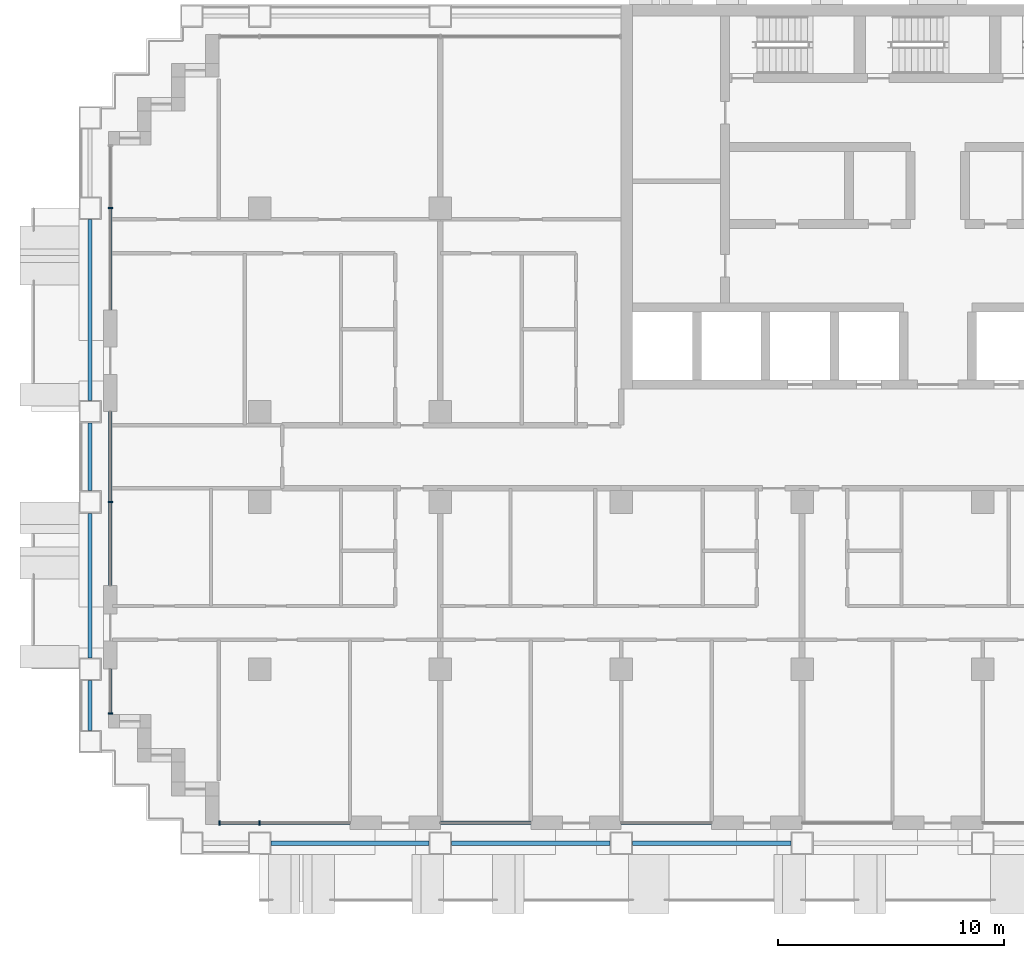
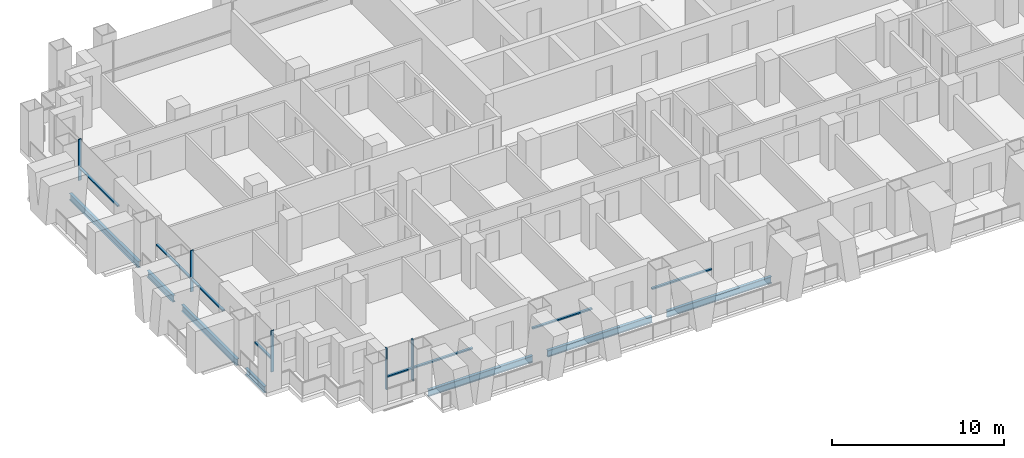
# One storey, part 2 of 19: 13 members, 7 beams, 6 elements without a shape of their own.
"""IFC4 building model written with IfcOpenShell, lengths in metres."""

from ifc_helpers import new_model, si_unit, direction, frame, origin, origin_2d, place, context, subcontext, project, spatial, rectangle, i_section, extrude, material, material_profile, profile_set, type_object, element, aggregate, save


model = new_model("IFC4")

# Units and contexts
model_context = context("Model", 3, precision=1e-05, world=origin(), true_north=direction((0.0, 1.0)))
body_context = subcontext(model_context, "Body", "Model", "MODEL_VIEW")
ifc_project = project(units=[si_unit("LENGTHUNIT", "METRE"), si_unit("AREAUNIT", "SQUARE_METRE"), si_unit("VOLUMEUNIT", "CUBIC_METRE"), si_unit("PLANEANGLEUNIT", "RADIAN"), si_unit("MASSUNIT", "GRAM", prefix="KILO")], contexts=[model_context])

# Site, building, storey
site_placement = place(None, origin())
site = spatial("IfcSite", under=ifc_project, at=site_placement, CompositionType="ELEMENT")
building_placement = place(site_placement, origin())
building = spatial("IfcBuilding", under=site, at=building_placement, Name="Vidyagriha Tower", CompositionType="ELEMENT")
storey_placement = place(building_placement, frame((0.0, 0.0, 57.60009765625)))
storey = spatial("IfcBuildingStorey", under=building, at=storey_placement, Name="L15", CompositionType="ELEMENT", Elevation=57.60009765625)

# Beams
ifc_material_1 = material(Name="Steel ASTM A992 Grade 50", Category="steel")
ifc_material_profile_1 = material_profile(ifc_material_1, i_section(OverallWidth=0.19189453125, OverallDepth=0.46240234375, WebThickness=0.010498046875, FlangeThickness=0.017578125, at=origin_2d()), Name="W18X60")
ifc_profile_set_1 = profile_set([ifc_material_profile_1], Name="Steel ASTM A992 Grade 50")
beam_type = type_object("IfcBeamType", Name="Edge beam W18X60", PredefinedType="SPANDREL", material=ifc_profile_set_1)
for number, where, z_axis, x_axis, name in (
    (1, (-29.5, -17.10009765625, -0.51123046875), (1.0, 0.0, 0.0), (0.0, 1.0, 0.0), "st-beam-L15-S02"),
    (2, (-21.5, -17.10009765625, -0.51123046875), (1.0, 0.0, 0.0), (0.0, 1.0, 0.0), "st-beam-L15-S03"),
    (3, (-13.5, -17.10009765625, -0.51123046875), (1.0, 0.0, 0.0), (0.0, 1.0, 0.0), "st-beam-L15-S04"),
):
    element("IfcBeam", number, at=place(storey_placement, frame(where, z_axis=z_axis, x_axis=x_axis)), inside=storey, type_object=beam_type, Name=name, PredefinedType="SPANDREL", context=body_context, shape_type="SweptSolid", body=[
        extrude(i_section(OverallWidth=0.19189453125, OverallDepth=0.46240234375, WebThickness=0.010498046875, FlangeThickness=0.017578125, at=origin_2d()), origin(), (0.0, 0.0, 1.0), 7.0),
    ])
beam_1_placement = place(storey_placement, frame((-37.5, -12.10009765625, -0.51123046875), z_axis=(0.0, 1.0, 0.0), x_axis=(-1.0, 0.0, 0.0)))
element("IfcBeam", 4, at=beam_1_placement, inside=storey, type_object=beam_type, Name="st-beam-L15-W10", PredefinedType="SPANDREL", context=body_context, shape_type="SweptSolid", body=[
    extrude(i_section(OverallWidth=0.19189453125, OverallDepth=0.46240234375, WebThickness=0.010498046875, FlangeThickness=0.017578125, at=origin_2d()), origin(), (0.0, 0.0, 1.0), 2.2001953125),
])
beam_2_placement = place(storey_placement, frame((-37.5, -8.89990234375, -0.51123046875), z_axis=(0.0, 1.0, 0.0), x_axis=(-1.0, 0.0, 0.0)))
element("IfcBeam", 5, at=beam_2_placement, inside=storey, type_object=beam_type, Name="st-beam-L15-W11", PredefinedType="SPANDREL", context=body_context, shape_type="SweptSolid", body=[
    extrude(i_section(OverallWidth=0.19189453125, OverallDepth=0.46240234375, WebThickness=0.010498046875, FlangeThickness=0.017578125, at=origin_2d()), origin(), (0.0, 0.0, 1.0), 6.39990234375),
])
beam_3_placement = place(storey_placement, frame((-37.5, -1.5, -0.51123046875), z_axis=(0.0, 1.0, 0.0), x_axis=(-1.0, 0.0, 0.0)))
element("IfcBeam", 6, at=beam_3_placement, inside=storey, type_object=beam_type, Name="st-beam-L15-W12", PredefinedType="SPANDREL", context=body_context, shape_type="SweptSolid", body=[
    extrude(i_section(OverallWidth=0.19189453125, OverallDepth=0.46240234375, WebThickness=0.010498046875, FlangeThickness=0.017578125, at=origin_2d()), origin(), (0.0, 0.0, 1.0), 3.0),
])
beam_4_placement = place(storey_placement, frame((-37.5, 2.5, -0.51123046875), z_axis=(0.0, 1.0, 0.0), x_axis=(-1.0, 0.0, 0.0)))
element("IfcBeam", 7, at=beam_4_placement, inside=storey, type_object=beam_type, Name="st-beam-L15-W13", PredefinedType="SPANDREL", context=body_context, shape_type="SweptSolid", body=[
    extrude(i_section(OverallWidth=0.19189453125, OverallDepth=0.46240234375, WebThickness=0.010498046875, FlangeThickness=0.017578125, at=origin_2d()), origin(), (0.0, 0.0, 1.0), 8.0),
])

# Curtain wall, member
ifc_material_2 = material(Name="Aluminium and glass curtain wall", Category="aluminium")
curtain_wall_type = type_object("IfcCurtainWallType", Name="Dwelling skin unitised curtain wall", PredefinedType="USERDEFINED", material=ifc_material_2)
curtain_wall_1_placement = place(storey_placement, origin())
curtain_wall_1 = element("IfcCurtainWall", 8, at=curtain_wall_1_placement, inside=storey, type_object=curtain_wall_type, Name="CW1 dwelling skin", ObjectType="UNITISED", PredefinedType="USERDEFINED")
ifc_material_3 = material(Name="Aluminium black anodised", Category="aluminium")
ifc_material_profile_2 = material_profile(ifc_material_3, rectangle(XDim=0.199951171875, YDim=0.070068359375, at=origin_2d()), Name="Mullion 70x200 black aluminium")
ifc_profile_set_2 = profile_set([ifc_material_profile_2], Name="Aluminium black anodised")
member_type_1 = type_object("IfcMemberType", Name="Mullion 70x200 black aluminium", PredefinedType="MULLION", material=ifc_profile_set_2)
member_1_placement = place(storey_placement, frame((-36.60009765625, 11.0, 0.0)))
member_1 = element("IfcMember", 9, at=member_1_placement, type_object=member_type_1, Name="CW1 mullion 2", PredefinedType="MULLION", context=body_context, shape_type="SweptSolid", body=[
    extrude(rectangle(XDim=0.199951171875, YDim=0.070068359375, at=origin_2d()), origin(), (0.0, 0.0, 1.0), 2.919921875),
])

curtain_wall_2_placement = place(storey_placement, origin())
curtain_wall_2 = element("IfcCurtainWall", 10, at=curtain_wall_2_placement, inside=storey, type_object=curtain_wall_type, Name="CW1 dwelling skin", ObjectType="UNITISED", PredefinedType="USERDEFINED")
member_2_placement = place(storey_placement, frame((-36.60009765625, -2.0, 0.0)))
member_2 = element("IfcMember", 11, at=member_2_placement, type_object=member_type_1, Name="CW1 mullion 2", PredefinedType="MULLION", context=body_context, shape_type="SweptSolid", body=[
    extrude(rectangle(XDim=0.199951171875, YDim=0.070068359375, at=origin_2d()), origin(), (0.0, 0.0, 1.0), 2.919921875),
])

curtain_wall_3_placement = place(storey_placement, origin())
curtain_wall_3 = element("IfcCurtainWall", 12, at=curtain_wall_3_placement, inside=storey, type_object=curtain_wall_type, Name="CW1 dwelling skin", ObjectType="UNITISED", PredefinedType="USERDEFINED")
member_3_placement = place(storey_placement, frame((-36.60009765625, -11.364990234375, 0.0)))
member_3 = element("IfcMember", 13, at=member_3_placement, type_object=member_type_1, Name="CW1 mullion 2", PredefinedType="MULLION", context=body_context, shape_type="SweptSolid", body=[
    extrude(rectangle(XDim=0.199951171875, YDim=0.070068359375, at=origin_2d()), origin(), (0.0, 0.0, 1.0), 2.919921875),
])

# Curtain wall, members
curtain_wall_4_placement = place(storey_placement, origin())
curtain_wall_4 = element("IfcCurtainWall", 14, at=curtain_wall_4_placement, inside=storey, type_object=curtain_wall_type, Name="CW1 dwelling skin", ObjectType="UNITISED", PredefinedType="USERDEFINED")
member_4_placement = place(storey_placement, frame((-31.764892578125, -16.199951171875, 0.0), z_axis=(0.0, 0.0, 1.0), x_axis=(0.0, 1.0, 0.0)))
member_4 = element("IfcMember", 15, at=member_4_placement, type_object=member_type_1, Name="CW1 mullion 1", PredefinedType="MULLION", context=body_context, shape_type="SweptSolid", body=[
    extrude(rectangle(XDim=0.199951171875, YDim=0.070068359375, at=origin_2d()), origin(), (0.0, 0.0, 1.0), 2.919921875),
])
member_5_placement = place(storey_placement, frame((-30.0, -16.199951171875, 0.0), z_axis=(0.0, 0.0, 1.0), x_axis=(0.0, 1.0, 0.0)))
member_5 = element("IfcMember", 16, at=member_5_placement, type_object=member_type_1, Name="CW1 mullion 2", PredefinedType="MULLION", context=body_context, shape_type="SweptSolid", body=[
    extrude(rectangle(XDim=0.199951171875, YDim=0.070068359375, at=origin_2d()), origin(), (0.0, 0.0, 1.0), 2.919921875),
])

# Member
ifc_material_4 = material(Name="Aluminium black anodised", Category="aluminium")
ifc_material_profile_3 = material_profile(ifc_material_4, rectangle(XDim=0.159912109375, YDim=0.10009765625, at=origin_2d()), Name="Transom 100x160 black aluminium")
ifc_profile_set_3 = profile_set([ifc_material_profile_3], Name="Aluminium black anodised")
member_type_2 = type_object("IfcMemberType", Name="Transom 100x160 black aluminium", PredefinedType="USERDEFINED", material=ifc_profile_set_3)
member_6_placement = place(storey_placement, frame((-36.60009765625, 10.965087890625, 0.89990234375), z_axis=(0.0, -1.0, 0.0), x_axis=(1.0, 0.0, 0.0)))
member_6 = element("IfcMember", 17, at=member_6_placement, type_object=member_type_2, Name="CW1 transom 2.1", ObjectType="TRANSOM", PredefinedType="USERDEFINED", context=body_context, shape_type="SweptSolid", body=[
    extrude(rectangle(XDim=0.159912109375, YDim=0.10009765625, at=origin_2d()), origin(), (0.0, 0.0, 1.0), 4.465087890625),
])

aggregate(curtain_wall_1, [member_1, member_6])

member_7_placement = place(storey_placement, frame((-36.60009765625, 2.0, 0.89990234375), z_axis=(0.0, -1.0, 0.0), x_axis=(1.0, 0.0, 0.0)))
member_7 = element("IfcMember", 18, at=member_7_placement, type_object=member_type_2, Name="CW1 transom 1.1", ObjectType="TRANSOM", PredefinedType="USERDEFINED", context=body_context, shape_type="SweptSolid", body=[
    extrude(rectangle(XDim=0.159912109375, YDim=0.10009765625, at=origin_2d()), origin(), (0.0, 0.0, 1.0), 3.965087890625),
])

member_8_placement = place(storey_placement, frame((-36.60009765625, -2.034912109375, 0.89990234375), z_axis=(0.0, -1.0, 0.0), x_axis=(1.0, 0.0, 0.0)))
member_8 = element("IfcMember", 19, at=member_8_placement, type_object=member_type_2, Name="CW1 transom 2.1", ObjectType="TRANSOM", PredefinedType="USERDEFINED", context=body_context, shape_type="SweptSolid", body=[
    extrude(rectangle(XDim=0.159912109375, YDim=0.10009765625, at=origin_2d()), origin(), (0.0, 0.0, 1.0), 3.6650390625),
])

aggregate(curtain_wall_2, [member_2, member_7, member_8])

member_9_placement = place(storey_placement, frame((-36.60009765625, -9.39990234375, 0.89990234375), z_axis=(0.0, -1.0, 0.0), x_axis=(1.0, 0.0, 0.0)))
member_9 = element("IfcMember", 20, at=member_9_placement, type_object=member_type_2, Name="CW1 transom 1.1", ObjectType="TRANSOM", PredefinedType="USERDEFINED", context=body_context, shape_type="SweptSolid", body=[
    extrude(rectangle(XDim=0.159912109375, YDim=0.10009765625, at=origin_2d()), origin(), (0.0, 0.0, 1.0), 1.93017578125),
])

aggregate(curtain_wall_3, [member_3, member_9])

member_10_placement = place(storey_placement, frame((-31.72998046875, -16.199951171875, 0.89990234375), z_axis=(1.0, 0.0, 0.0), x_axis=(0.0, 1.0, 0.0)))
member_10 = element("IfcMember", 21, at=member_10_placement, type_object=member_type_2, Name="CW1 transom 1.1", ObjectType="TRANSOM", PredefinedType="USERDEFINED", context=body_context, shape_type="SweptSolid", body=[
    extrude(rectangle(XDim=0.159912109375, YDim=0.10009765625, at=origin_2d()), origin(), (0.0, 0.0, 1.0), 1.695068359375),
])

member_11_placement = place(storey_placement, frame((-29.965087890625, -16.199951171875, 0.89990234375), z_axis=(1.0, 0.0, 0.0), x_axis=(0.0, 1.0, 0.0)))
member_11 = element("IfcMember", 22, at=member_11_placement, type_object=member_type_2, Name="CW1 transom 2.1", ObjectType="TRANSOM", PredefinedType="USERDEFINED", context=body_context, shape_type="SweptSolid", body=[
    extrude(rectangle(XDim=0.159912109375, YDim=0.10009765625, at=origin_2d()), origin(), (0.0, 0.0, 1.0), 3.965087890625),
])

aggregate(curtain_wall_4, [member_4, member_5, member_10, member_11])

# Curtain wall, member
curtain_wall_5_placement = place(storey_placement, origin())
curtain_wall_5 = element("IfcCurtainWall", 23, at=curtain_wall_5_placement, inside=storey, type_object=curtain_wall_type, Name="CW1 dwelling skin", ObjectType="UNITISED", PredefinedType="USERDEFINED")
member_12_placement = place(storey_placement, frame((-22.0, -16.199951171875, 0.89990234375), z_axis=(1.0, 0.0, 0.0), x_axis=(0.0, 1.0, 0.0)))
member_12 = element("IfcMember", 24, at=member_12_placement, type_object=member_type_2, Name="CW1 transom 1.1", ObjectType="TRANSOM", PredefinedType="USERDEFINED", context=body_context, shape_type="SweptSolid", body=[
    extrude(rectangle(XDim=0.159912109375, YDim=0.10009765625, at=origin_2d()), origin(), (0.0, 0.0, 1.0), 4.0),
])
aggregate(curtain_wall_5, [member_12])

curtain_wall_6_placement = place(storey_placement, origin())
curtain_wall_6 = element("IfcCurtainWall", 25, at=curtain_wall_6_placement, inside=storey, type_object=curtain_wall_type, Name="CW1 dwelling skin", ObjectType="UNITISED", PredefinedType="USERDEFINED")
member_13_placement = place(storey_placement, frame((-14.0, -16.199951171875, 0.89990234375), z_axis=(1.0, 0.0, 0.0), x_axis=(0.0, 1.0, 0.0)))
member_13 = element("IfcMember", 26, at=member_13_placement, type_object=member_type_2, Name="CW1 transom 1.1", ObjectType="TRANSOM", PredefinedType="USERDEFINED", context=body_context, shape_type="SweptSolid", body=[
    extrude(rectangle(XDim=0.159912109375, YDim=0.10009765625, at=origin_2d()), origin(), (0.0, 0.0, 1.0), 4.0),
])
aggregate(curtain_wall_6, [member_13])

save(model, "model.ifc")
